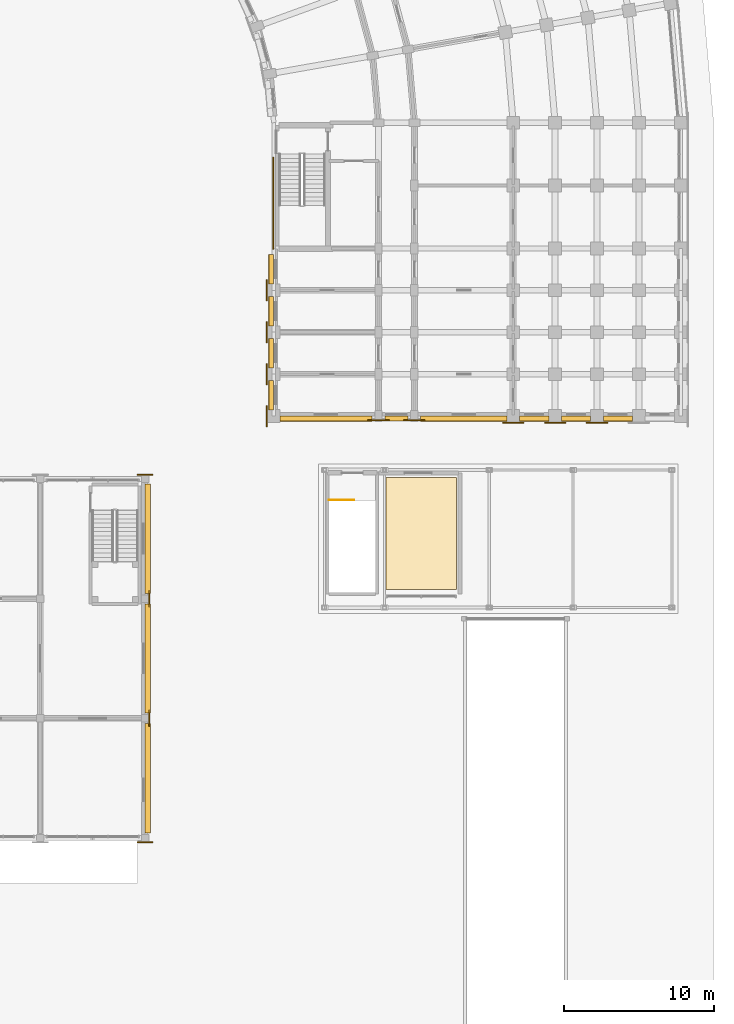
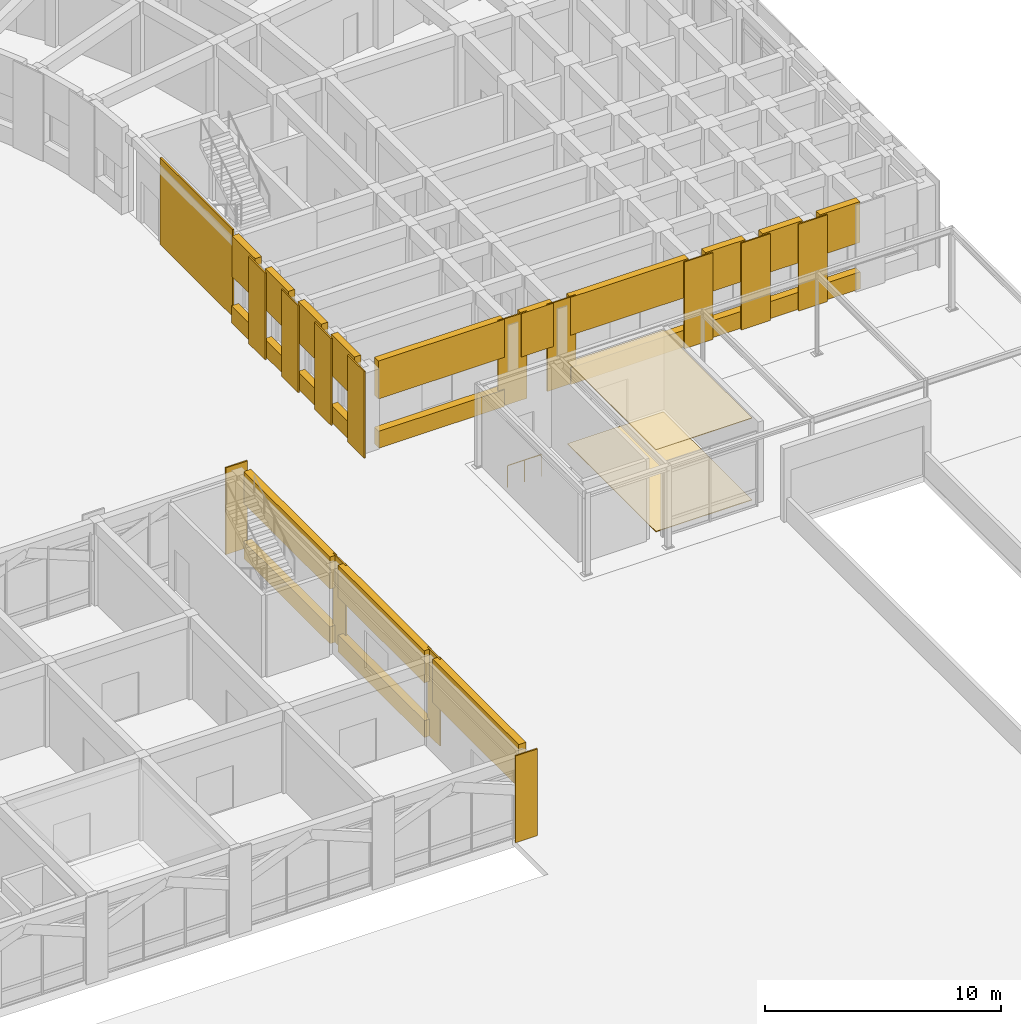
# One storey, part 131 of 135: 40 coverings, 1 railing.
"""IFC4 building model written with IfcOpenShell, lengths in metres."""

from ifc_helpers import new_model, si_unit, direction, frame, origin, origin_2d, place, context, subcontext, project, spatial, polyline, circle, outline, extrude, material, layer, layer_set, type_object, element, save


model = new_model("IFC4")

# Units and contexts
model_context = context("Model", 3, precision=1e-05, world=origin(), true_north=direction((0.0, 1.0)))
body_context = subcontext(model_context, "Body", "Model", "MODEL_VIEW")
ifc_project = project(units=[si_unit("LENGTHUNIT", "METRE"), si_unit("AREAUNIT", "SQUARE_METRE"), si_unit("VOLUMEUNIT", "CUBIC_METRE"), si_unit("PLANEANGLEUNIT", "RADIAN"), si_unit("MASSUNIT", "GRAM", prefix="KILO")], contexts=[model_context])

# Site, building, storey
site_placement = place(None, origin())
site = spatial("IfcSite", under=ifc_project, at=site_placement, CompositionType="ELEMENT")
building_placement = place(site_placement, origin())
building = spatial("IfcBuilding", under=site, at=building_placement, Name="Kiranvali Square Residences", CompositionType="ELEMENT")
storey_placement = place(building_placement, origin())
storey = spatial("IfcBuildingStorey", under=building, at=storey_placement, Name="L00", CompositionType="ELEMENT", Elevation=0.0)

# Coverings
ifc_material_1 = material(Name="Perforated acoustic mineral-fibre and gypsum board ceiling", Category="gypsum")
ifc_layer_1 = layer(ifc_material_1, 0.02197265625)
ifc_layer_set_1 = layer_set([ifc_layer_1], Name="Perforated acoustic mineral-fibre and gypsum board ceiling")
covering_type_1 = type_object("IfcCoveringType", Name="COV-CEIL-GYP22", PredefinedType="CEILING", material=ifc_layer_set_1)
covering_1_placement = place(storey_placement, frame((0.0, 0.0, 4.22998046875)))
element("IfcCovering", 1, at=covering_1_placement, inside=storey, type_object=covering_type_1, Name="East Street Mobility Kiosk acoustic ceiling", PredefinedType="CEILING", context=body_context, shape_type="SweptSolid", body=[
    extrude(outline(polyline([(146.10009765625, 56.60009765625), (150.800048828125, 56.60009765625), (150.800048828125, 64.10009765625), (146.10009765625, 64.10009765625), (146.10009765625, 56.60009765625)])), origin(), (0.0, 0.0, 1.0), 0.030029296875),
])
ifc_material_2 = material(Name="Honed Porbandar limestone ashlar facade cladding", Category="masonry")
ifc_layer_2 = layer(ifc_material_2, 0.06494140625)
ifc_layer_set_2 = layer_set([ifc_layer_2], Name="Honed Porbandar limestone ashlar facade cladding")
covering_type_2 = type_object("IfcCoveringType", Name="COV-CLAD-PIER", PredefinedType="CLADDING", material=ifc_layer_set_2)
covering_2_placement = place(storey_placement, frame((0.0, 0.0, 0.0048828125)))
element("IfcCovering", 2, at=covering_2_placement, inside=storey, type_object=covering_type_2, Name="Block B L00 Arm 2 stair limestone ashlar cladding", PredefinedType="CLADDING", context=body_context, shape_type="SweptSolid", body=[
    extrude(outline(polyline([(138.52001953125, 85.5), (138.52001953125, 79.35009765625), (138.597900390625, 79.35009765625), (138.597900390625, 85.5), (138.52001953125, 85.5)])), origin(), (0.0, 0.0, 1.0), 4.490234375),
])
covering_3_placement = place(storey_placement, frame((0.0, 0.0, 0.0048828125)))
element("IfcCovering", 3, at=covering_3_placement, inside=storey, type_object=covering_type_2, Name="L00 Classical limestone pilaster casing CLAD-RT-L00-S4", PredefinedType="CLADDING", context=body_context, shape_type="SweptSolid", body=[
    extrude(outline(polyline([(129.469970703125, 39.681884765625), (130.530029296875, 39.681884765625), (130.530029296875, 39.74951171875), (129.469970703125, 39.74951171875), (129.469970703125, 39.681884765625)])), origin(), (0.0, 0.0, 1.0), 4.490234375),
])
covering_4_placement = place(storey_placement, frame((0.0, 0.0, 0.0048828125)))
element("IfcCovering", 4, at=covering_4_placement, inside=storey, type_object=covering_type_2, Name="L00 Classical limestone pilaster casing CLAD-RT-L00-N4", PredefinedType="CLADDING", context=body_context, shape_type="SweptSolid", body=[
    extrude(outline(polyline([(129.469970703125, 64.25048828125), (130.530029296875, 64.25048828125), (130.530029296875, 64.318115234375), (129.469970703125, 64.318115234375), (129.469970703125, 64.25048828125)])), origin(), (0.0, 0.0, 1.0), 4.490234375),
])
covering_5_placement = place(storey_placement, frame((0.0, 0.0, 0.0048828125)))
element("IfcCovering", 5, at=covering_5_placement, inside=storey, type_object=covering_type_2, Name="L00 Classical limestone pilaster casing CLAD-RT-L00-E1", PredefinedType="CLADDING", context=body_context, shape_type="SweptSolid", body=[
    extrude(outline(polyline([(130.318115234375, 47.469970703125), (130.318115234375, 48.530029296875), (130.25048828125, 48.530029296875), (130.25048828125, 47.469970703125), (130.318115234375, 47.469970703125)])), origin(), (0.0, 0.0, 1.0), 4.490234375),
])
covering_6_placement = place(storey_placement, frame((0.0, 0.0, 0.0048828125)))
element("IfcCovering", 6, at=covering_6_placement, inside=storey, type_object=covering_type_2, Name="L00 Classical limestone pilaster casing CLAD-RT-L00-E2", PredefinedType="CLADDING", context=body_context, shape_type="SweptSolid", body=[
    extrude(outline(polyline([(130.318115234375, 55.469970703125), (130.318115234375, 56.530029296875), (130.25048828125, 56.530029296875), (130.25048828125, 55.469970703125), (130.318115234375, 55.469970703125)])), origin(), (0.0, 0.0, 1.0), 4.490234375),
])
ifc_layer_3 = layer(ifc_material_2, 0.050048828125)
ifc_layer_set_3 = layer_set([ifc_layer_3], Name="Honed Porbandar limestone ashlar facade cladding")
covering_type_3 = type_object("IfcCoveringType", Name="COV-CLAD-PIER-IN", PredefinedType="CLADDING", material=ifc_layer_set_3)
covering_7_placement = place(storey_placement, frame((0.0, 0.0, 0.0048828125)))
element("IfcCovering", 7, at=covering_7_placement, inside=storey, type_object=covering_type_3, Name="L00 Classical limestone pilaster casing CLAD-PRA2I-B-L00-V112", PredefinedType="CLADDING", context=body_context, shape_type="SweptSolid", body=[
    extrude(outline(polyline([(138.10693359375, 77.304931640625), (138.10693359375, 75.89501953125), (138.174560546875, 75.89501953125), (138.174560546875, 77.304931640625), (138.10693359375, 77.304931640625)])), origin(), (0.0, 0.0, 1.0), 4.490234375),
])
covering_8_placement = place(storey_placement, frame((0.0, 0.0, 0.0048828125)))
element("IfcCovering", 8, at=covering_8_placement, inside=storey, type_object=covering_type_3, Name="L00 Classical limestone pilaster casing CLAD-PRA2I-B-L00-V140", PredefinedType="CLADDING", context=body_context, shape_type="SweptSolid", body=[
    extrude(outline(polyline([(138.10693359375, 74.5048828125), (138.10693359375, 73.094970703125), (138.174560546875, 73.094970703125), (138.174560546875, 74.5048828125), (138.10693359375, 74.5048828125)])), origin(), (0.0, 0.0, 1.0), 4.490234375),
])
covering_9_placement = place(storey_placement, frame((0.0, 0.0, 0.0048828125)))
element("IfcCovering", 9, at=covering_9_placement, inside=storey, type_object=covering_type_3, Name="L00 Classical limestone pilaster casing CLAD-PRA2I-B-L00-V167", PredefinedType="CLADDING", context=body_context, shape_type="SweptSolid", body=[
    extrude(outline(polyline([(138.10693359375, 71.705078125), (138.10693359375, 70.294921875), (138.174560546875, 70.294921875), (138.174560546875, 71.705078125), (138.10693359375, 71.705078125)])), origin(), (0.0, 0.0, 1.0), 4.490234375),
])
covering_10_placement = place(storey_placement, frame((0.0, 0.0, 0.0048828125)))
element("IfcCovering", 10, at=covering_10_placement, inside=storey, type_object=covering_type_3, Name="L00 Classical limestone pilaster casing CLAD-PRA2I-B-L00-V196", PredefinedType="CLADDING", context=body_context, shape_type="SweptSolid", body=[
    extrude(outline(polyline([(138.10693359375, 68.905029296875), (138.10693359375, 67.4951171875), (138.174560546875, 67.4951171875), (138.174560546875, 68.905029296875), (138.10693359375, 68.905029296875)])), origin(), (0.0, 0.0, 1.0), 4.490234375),
])
ifc_layer_4 = layer(ifc_material_2, 0.054931640625)
ifc_layer_set_4 = layer_set([ifc_layer_4], Name="Honed Porbandar limestone ashlar facade cladding")
covering_type_4 = type_object("IfcCoveringType", Name="COV-CLAD-PIER-UP", PredefinedType="CLADDING", material=ifc_layer_set_4)
covering_11_placement = place(storey_placement, frame((0.0, 0.0, 0.0048828125)))
element("IfcCovering", 11, at=covering_11_placement, inside=storey, type_object=covering_type_4, Name="L00 Classical limestone pilaster casing CLAD-PRA2E-B-L00-R258", PredefinedType="CLADDING", context=body_context, shape_type="SweptSolid", body=[
    extrude(outline(polyline([(144.89501953125, 67.882080078125), (146.304931640625, 67.882080078125), (146.304931640625, 67.949462890625), (144.89501953125, 67.949462890625), (144.89501953125, 67.882080078125)])), origin(), (0.0, 0.0, 1.0), 4.490234375),
])
covering_12_placement = place(storey_placement, frame((0.0, 0.0, 0.0048828125)))
element("IfcCovering", 12, at=covering_12_placement, inside=storey, type_object=covering_type_4, Name="L00 Classical limestone pilaster casing CLAD-PRA2E-B-L00-R282", PredefinedType="CLADDING", context=body_context, shape_type="SweptSolid", body=[
    extrude(outline(polyline([(147.294921875, 67.882080078125), (148.705078125, 67.882080078125), (148.705078125, 67.949462890625), (147.294921875, 67.949462890625), (147.294921875, 67.882080078125)])), origin(), (0.0, 0.0, 1.0), 4.490234375),
])
covering_13_placement = place(storey_placement, frame((0.0, 0.0, 0.0048828125)))
element("IfcCovering", 13, at=covering_13_placement, inside=storey, type_object=covering_type_4, Name="L00 Classical limestone pilaster casing CLAD-PRA2E-B-L00-R348", PredefinedType="CLADDING", context=body_context, shape_type="SweptSolid", body=[
    extrude(outline(polyline([(153.89501953125, 67.70703125), (155.304931640625, 67.70703125), (155.304931640625, 67.7744140625), (153.89501953125, 67.7744140625), (153.89501953125, 67.70703125)])), origin(), (0.0, 0.0, 1.0), 4.490234375),
])
covering_14_placement = place(storey_placement, frame((0.0, 0.0, 0.0048828125)))
element("IfcCovering", 14, at=covering_14_placement, inside=storey, type_object=covering_type_4, Name="L00 Classical limestone pilaster casing CLAD-PRA2E-B-L00-R376", PredefinedType="CLADDING", context=body_context, shape_type="SweptSolid", body=[
    extrude(outline(polyline([(156.695068359375, 67.70703125), (158.10498046875, 67.70703125), (158.10498046875, 67.7744140625), (156.695068359375, 67.7744140625), (156.695068359375, 67.70703125)])), origin(), (0.0, 0.0, 1.0), 4.490234375),
])
covering_15_placement = place(storey_placement, frame((0.0, 0.0, 0.0048828125)))
element("IfcCovering", 15, at=covering_15_placement, inside=storey, type_object=covering_type_4, Name="L00 Classical limestone pilaster casing CLAD-PRA2E-B-L00-R404", PredefinedType="CLADDING", context=body_context, shape_type="SweptSolid", body=[
    extrude(outline(polyline([(159.4951171875, 67.70703125), (160.905029296875, 67.70703125), (160.905029296875, 67.7744140625), (159.4951171875, 67.7744140625), (159.4951171875, 67.70703125)])), origin(), (0.0, 0.0, 1.0), 4.490234375),
])
ifc_layer_5 = layer(ifc_material_2, 0.360107421875)
ifc_layer_set_5 = layer_set([ifc_layer_5], Name="Honed Porbandar limestone ashlar facade cladding")
covering_type_5 = type_object("IfcCoveringType", Name="COV-CLAD-WALL", PredefinedType="CLADDING", material=ifc_layer_set_5)
covering_16_placement = place(storey_placement, frame((0.0, 0.0, 2.3798828125)))
element("IfcCovering", 16, at=covering_16_placement, inside=storey, type_object=covering_type_5, Name="L00 light limestone spandrel lintel B-L00-A2I-0", PredefinedType="CLADDING", context=body_context, shape_type="SweptSolid", body=[
    extrude(outline(polyline([(138.280029296875, 78.97998046875), (138.280029296875, 77.02001953125), (138.599609375, 77.02001953125), (138.599609375, 78.97998046875), (138.280029296875, 78.97998046875)])), origin(), (0.0, 0.0, 1.0), 2.115234375),
])
covering_17_placement = place(storey_placement, frame((0.0, 0.0, 0.0048828125)))
element("IfcCovering", 17, at=covering_17_placement, inside=storey, type_object=covering_type_5, Name="L00 limestone window sill apron B-L00-A2I-0", PredefinedType="CLADDING", context=body_context, shape_type="SweptSolid", body=[
    extrude(outline(polyline([(138.25, 78.97998046875), (138.25, 77.02001953125), (138.599609375, 77.02001953125), (138.599609375, 78.97998046875), (138.25, 78.97998046875)])), origin(), (0.0, 0.0, 1.0), 0.875),
])
covering_18_placement = place(storey_placement, frame((0.0, 0.0, 2.3798828125)))
element("IfcCovering", 18, at=covering_18_placement, inside=storey, type_object=covering_type_5, Name="L00 light limestone spandrel lintel B-L00-A2I-1", PredefinedType="CLADDING", context=body_context, shape_type="SweptSolid", body=[
    extrude(outline(polyline([(138.280029296875, 76.179931640625), (138.280029296875, 74.219970703125), (138.599609375, 74.219970703125), (138.599609375, 76.179931640625), (138.280029296875, 76.179931640625)])), origin(), (0.0, 0.0, 1.0), 2.115234375),
])
covering_19_placement = place(storey_placement, frame((0.0, 0.0, 0.0048828125)))
element("IfcCovering", 19, at=covering_19_placement, inside=storey, type_object=covering_type_5, Name="L00 limestone window sill apron B-L00-A2I-1", PredefinedType="CLADDING", context=body_context, shape_type="SweptSolid", body=[
    extrude(outline(polyline([(138.25, 76.179931640625), (138.25, 74.219970703125), (138.599609375, 74.219970703125), (138.599609375, 76.179931640625), (138.25, 76.179931640625)])), origin(), (0.0, 0.0, 1.0), 0.875),
])
covering_20_placement = place(storey_placement, frame((0.0, 0.0, 2.3798828125)))
element("IfcCovering", 20, at=covering_20_placement, inside=storey, type_object=covering_type_5, Name="L00 light limestone spandrel lintel B-L00-A2I-2", PredefinedType="CLADDING", context=body_context, shape_type="SweptSolid", body=[
    extrude(outline(polyline([(138.280029296875, 73.3798828125), (138.280029296875, 71.419921875), (138.599609375, 71.419921875), (138.599609375, 73.3798828125), (138.280029296875, 73.3798828125)])), origin(), (0.0, 0.0, 1.0), 2.115234375),
])
covering_21_placement = place(storey_placement, frame((0.0, 0.0, 0.0048828125)))
element("IfcCovering", 21, at=covering_21_placement, inside=storey, type_object=covering_type_5, Name="L00 limestone window sill apron B-L00-A2I-2", PredefinedType="CLADDING", context=body_context, shape_type="SweptSolid", body=[
    extrude(outline(polyline([(138.25, 73.3798828125), (138.25, 71.419921875), (138.599609375, 71.419921875), (138.599609375, 73.3798828125), (138.25, 73.3798828125)])), origin(), (0.0, 0.0, 1.0), 0.875),
])
covering_22_placement = place(storey_placement, frame((0.0, 0.0, 2.3798828125)))
element("IfcCovering", 22, at=covering_22_placement, inside=storey, type_object=covering_type_5, Name="L00 light limestone spandrel lintel B-L00-A2I-3", PredefinedType="CLADDING", context=body_context, shape_type="SweptSolid", body=[
    extrude(outline(polyline([(138.280029296875, 70.580078125), (138.280029296875, 68.6201171875), (138.599609375, 68.6201171875), (138.599609375, 70.580078125), (138.280029296875, 70.580078125)])), origin(), (0.0, 0.0, 1.0), 2.115234375),
])
covering_23_placement = place(storey_placement, frame((0.0, 0.0, 0.0048828125)))
element("IfcCovering", 23, at=covering_23_placement, inside=storey, type_object=covering_type_5, Name="L00 limestone window sill apron B-L00-A2I-3", PredefinedType="CLADDING", context=body_context, shape_type="SweptSolid", body=[
    extrude(outline(polyline([(138.25, 70.580078125), (138.25, 68.6201171875), (138.599609375, 68.6201171875), (138.599609375, 70.580078125), (138.25, 70.580078125)])), origin(), (0.0, 0.0, 1.0), 0.875),
])
covering_24_placement = place(storey_placement, frame((0.0, 0.0, 2.530029296875)))
element("IfcCovering", 24, at=covering_24_placement, inside=storey, type_object=covering_type_5, Name="L00 light limestone spandrel lintel B-L00-A2END-0", PredefinedType="CLADDING", context=body_context, shape_type="SweptSolid", body=[
    extrude(outline(polyline([(139.02001953125, 67.860107421875), (145.179931640625, 67.860107421875), (145.179931640625, 68.199462890625), (139.02001953125, 68.199462890625), (139.02001953125, 67.860107421875)])), origin(), (0.0, 0.0, 1.0), 1.965087890625),
])
covering_25_placement = place(storey_placement, frame((0.0, 0.0, 0.0048828125)))
element("IfcCovering", 25, at=covering_25_placement, inside=storey, type_object=covering_type_5, Name="L00 limestone window sill apron B-L00-A2END-0", PredefinedType="CLADDING", context=body_context, shape_type="SweptSolid", body=[
    extrude(outline(polyline([(139.02001953125, 67.830078125), (145.179931640625, 67.830078125), (145.179931640625, 68.199462890625), (139.02001953125, 68.199462890625), (139.02001953125, 67.830078125)])), origin(), (0.0, 0.0, 1.0), 0.875),
])
covering_26_placement = place(storey_placement, frame((0.0, 0.0, 2.25)))
element("IfcCovering", 26, at=covering_26_placement, inside=storey, type_object=covering_type_5, Name="L00 light limestone spandrel lintel B-L00-A2END-1", PredefinedType="CLADDING", context=body_context, shape_type="SweptSolid", body=[
    extrude(outline(polyline([(146.02001953125, 67.860107421875), (147.580078125, 67.860107421875), (147.580078125, 68.199462890625), (146.02001953125, 68.199462890625), (146.02001953125, 67.860107421875)])), origin(), (0.0, 0.0, 1.0), 2.2451171875),
])
covering_27_placement = place(storey_placement, frame((0.0, 0.0, 2.530029296875)))
element("IfcCovering", 27, at=covering_27_placement, inside=storey, type_object=covering_type_5, Name="L00 light limestone spandrel lintel B-L00-A2END-2", PredefinedType="CLADDING", context=body_context, shape_type="SweptSolid", body=[
    extrude(outline(polyline([(148.419921875, 67.860107421875), (154.179931640625, 67.860107421875), (154.179931640625, 68.199462890625), (148.419921875, 68.199462890625), (148.419921875, 67.860107421875)])), origin(), (0.0, 0.0, 1.0), 1.965087890625),
])
covering_28_placement = place(storey_placement, frame((0.0, 0.0, 0.0048828125)))
element("IfcCovering", 28, at=covering_28_placement, inside=storey, type_object=covering_type_5, Name="L00 limestone window sill apron B-L00-A2END-2", PredefinedType="CLADDING", context=body_context, shape_type="SweptSolid", body=[
    extrude(outline(polyline([(148.419921875, 67.830078125), (154.179931640625, 67.830078125), (154.179931640625, 68.199462890625), (148.419921875, 68.199462890625), (148.419921875, 67.830078125)])), origin(), (0.0, 0.0, 1.0), 0.875),
])
covering_29_placement = place(storey_placement, frame((0.0, 0.0, 2.3798828125)))
element("IfcCovering", 29, at=covering_29_placement, inside=storey, type_object=covering_type_5, Name="L00 light limestone spandrel lintel B-L00-A2END-3", PredefinedType="CLADDING", context=body_context, shape_type="SweptSolid", body=[
    extrude(outline(polyline([(155.02001953125, 67.860107421875), (156.97998046875, 67.860107421875), (156.97998046875, 68.199462890625), (155.02001953125, 68.199462890625), (155.02001953125, 67.860107421875)])), origin(), (0.0, 0.0, 1.0), 2.115234375),
])
covering_30_placement = place(storey_placement, frame((0.0, 0.0, 0.0048828125)))
element("IfcCovering", 30, at=covering_30_placement, inside=storey, type_object=covering_type_5, Name="L00 limestone window sill apron B-L00-A2END-3", PredefinedType="CLADDING", context=body_context, shape_type="SweptSolid", body=[
    extrude(outline(polyline([(155.02001953125, 67.830078125), (156.97998046875, 67.830078125), (156.97998046875, 68.199462890625), (155.02001953125, 68.199462890625), (155.02001953125, 67.830078125)])), origin(), (0.0, 0.0, 1.0), 0.875),
])
covering_31_placement = place(storey_placement, frame((0.0, 0.0, 2.3798828125)))
element("IfcCovering", 31, at=covering_31_placement, inside=storey, type_object=covering_type_5, Name="L00 light limestone spandrel lintel B-L00-A2END-4", PredefinedType="CLADDING", context=body_context, shape_type="SweptSolid", body=[
    extrude(outline(polyline([(157.820068359375, 67.860107421875), (159.780029296875, 67.860107421875), (159.780029296875, 68.199462890625), (157.820068359375, 68.199462890625), (157.820068359375, 67.860107421875)])), origin(), (0.0, 0.0, 1.0), 2.115234375),
])
covering_32_placement = place(storey_placement, frame((0.0, 0.0, 0.0048828125)))
element("IfcCovering", 32, at=covering_32_placement, inside=storey, type_object=covering_type_5, Name="L00 limestone window sill apron B-L00-A2END-4", PredefinedType="CLADDING", context=body_context, shape_type="SweptSolid", body=[
    extrude(outline(polyline([(157.820068359375, 67.830078125), (159.780029296875, 67.830078125), (159.780029296875, 68.199462890625), (157.820068359375, 68.199462890625), (157.820068359375, 67.830078125)])), origin(), (0.0, 0.0, 1.0), 0.875),
])
covering_33_placement = place(storey_placement, frame((0.0, 0.0, 2.3798828125)))
element("IfcCovering", 33, at=covering_33_placement, inside=storey, type_object=covering_type_5, Name="L00 light limestone spandrel lintel B-L00-A2END-5", PredefinedType="CLADDING", context=body_context, shape_type="SweptSolid", body=[
    extrude(outline(polyline([(160.6201171875, 67.860107421875), (162.580078125, 67.860107421875), (162.580078125, 68.199462890625), (160.6201171875, 68.199462890625), (160.6201171875, 67.860107421875)])), origin(), (0.0, 0.0, 1.0), 2.115234375),
])
covering_34_placement = place(storey_placement, frame((0.0, 0.0, 0.0048828125)))
element("IfcCovering", 34, at=covering_34_placement, inside=storey, type_object=covering_type_5, Name="L00 limestone window sill apron B-L00-A2END-5", PredefinedType="CLADDING", context=body_context, shape_type="SweptSolid", body=[
    extrude(outline(polyline([(160.6201171875, 67.830078125), (162.580078125, 67.830078125), (162.580078125, 68.199462890625), (160.6201171875, 68.199462890625), (160.6201171875, 67.830078125)])), origin(), (0.0, 0.0, 1.0), 0.875),
])
covering_35_placement = place(storey_placement, frame((0.0, 0.0, 2.25)))
element("IfcCovering", 35, at=covering_35_placement, inside=storey, type_object=covering_type_5, Name="L00 light limestone spandrel lintel RT-L00-E-0", PredefinedType="CLADDING", context=body_context, shape_type="SweptSolid", body=[
    extrude(outline(polyline([(130.35009765625, 40.35009765625), (130.35009765625, 47.64990234375), (130.00048828125, 47.64990234375), (130.00048828125, 40.35009765625), (130.35009765625, 40.35009765625)])), origin(), (0.0, 0.0, 1.0), 2.2451171875),
])
covering_36_placement = place(storey_placement, frame((0.0, 0.0, 2.830078125)))
element("IfcCovering", 36, at=covering_36_placement, inside=storey, type_object=covering_type_5, Name="L00 light limestone spandrel lintel RT-L00-E-1", PredefinedType="CLADDING", context=body_context, shape_type="SweptSolid", body=[
    extrude(outline(polyline([(130.35009765625, 48.35009765625), (130.35009765625, 55.64990234375), (130.00048828125, 55.64990234375), (130.00048828125, 48.35009765625), (130.35009765625, 48.35009765625)])), origin(), (0.0, 0.0, 1.0), 1.6650390625),
])
covering_37_placement = place(storey_placement, frame((0.0, 0.0, 0.0048828125)))
element("IfcCovering", 37, at=covering_37_placement, inside=storey, type_object=covering_type_5, Name="L00 limestone window sill apron RT-L00-E-1", PredefinedType="CLADDING", context=body_context, shape_type="SweptSolid", body=[
    extrude(outline(polyline([(130.3798828125, 48.35009765625), (130.3798828125, 55.64990234375), (130.00048828125, 55.64990234375), (130.00048828125, 48.35009765625), (130.3798828125, 48.35009765625)])), origin(), (0.0, 0.0, 1.0), 0.875),
])
covering_38_placement = place(storey_placement, frame((0.0, 0.0, 2.830078125)))
element("IfcCovering", 38, at=covering_38_placement, inside=storey, type_object=covering_type_5, Name="L00 light limestone spandrel lintel RT-L00-E-2", PredefinedType="CLADDING", context=body_context, shape_type="SweptSolid", body=[
    extrude(outline(polyline([(130.35009765625, 56.35009765625), (130.35009765625, 63.64990234375), (130.00048828125, 63.64990234375), (130.00048828125, 56.35009765625), (130.35009765625, 56.35009765625)])), origin(), (0.0, 0.0, 1.0), 1.6650390625),
])
covering_39_placement = place(storey_placement, frame((0.0, 0.0, 0.0048828125)))
element("IfcCovering", 39, at=covering_39_placement, inside=storey, type_object=covering_type_5, Name="L00 limestone window sill apron RT-L00-E-2", PredefinedType="CLADDING", context=body_context, shape_type="SweptSolid", body=[
    extrude(outline(polyline([(130.3798828125, 56.35009765625), (130.3798828125, 63.64990234375), (130.00048828125, 63.64990234375), (130.00048828125, 56.35009765625), (130.3798828125, 56.35009765625)])), origin(), (0.0, 0.0, 1.0), 0.875),
])
ifc_material_3 = material(Name="Polished terrazzo and anti-slip vitrified floor finish", Category="stone")
ifc_layer_6 = layer(ifc_material_3, 0.030029296875)
ifc_layer_set_6 = layer_set([ifc_layer_6], Name="Polished terrazzo and anti-slip vitrified floor finish")
covering_type_6 = type_object("IfcCoveringType", Name="COV-FLR-TERRAZZO", PredefinedType="FLOORING", material=ifc_layer_set_6)
covering_40_placement = place(storey_placement, origin())
element("IfcCovering", 40, at=covering_40_placement, inside=storey, type_object=covering_type_6, Name="East Street Mobility Kiosk terrazzo flooring", PredefinedType="FLOORING", context=body_context, shape_type="SweptSolid", body=[
    extrude(outline(polyline([(146.10009765625, 56.60009765625), (150.800048828125, 56.60009765625), (150.800048828125, 64.10009765625), (146.10009765625, 64.10009765625), (146.10009765625, 56.60009765625)])), origin(), (0.0, 0.0, 1.0), 0.030029296875),
])

# Railing
ifc_material_4 = material(Name="Powder-coated architectural bronze balustrade", Category="steel")
railing_type = type_object("IfcRailingType", Name="RL-ST-GUARD-1200", PredefinedType="GUARDRAIL", material=ifc_material_4)
railing_placement = place(storey_placement, frame((142.300048828125, 62.60009765625, 0.0)))
element("IfcRailing", 41, at=railing_placement, inside=storey, type_object=railing_type, Name="L00 ST-P2 top well guard 1", PredefinedType="GUARDRAIL", context=body_context, shape_type="SweptSolid", body=[
    extrude(circle(Radius=0.02392578125, at=origin_2d()), frame((0.0, 0.0, 1.1259765625), z_axis=(1.0, 0.0, 0.0), x_axis=(0.0, 1.0, 0.0)), (0.0, 0.0, 1.0), 1.64990234375),
    extrude(circle(Radius=0.02099609375, at=origin_2d()), origin(), (0.0, 0.0, 1.0), 1.101806640625),
    extrude(circle(Radius=0.02099609375, at=origin_2d()), frame((0.824951171875, 0.0, 0.0)), (0.0, 0.0, 1.0), 1.101806640625),
    extrude(circle(Radius=0.02099609375, at=origin_2d()), frame((1.64990234375, 0.0, 0.0)), (0.0, 0.0, 1.0), 1.101806640625),
])

save(model, "model.ifc")
